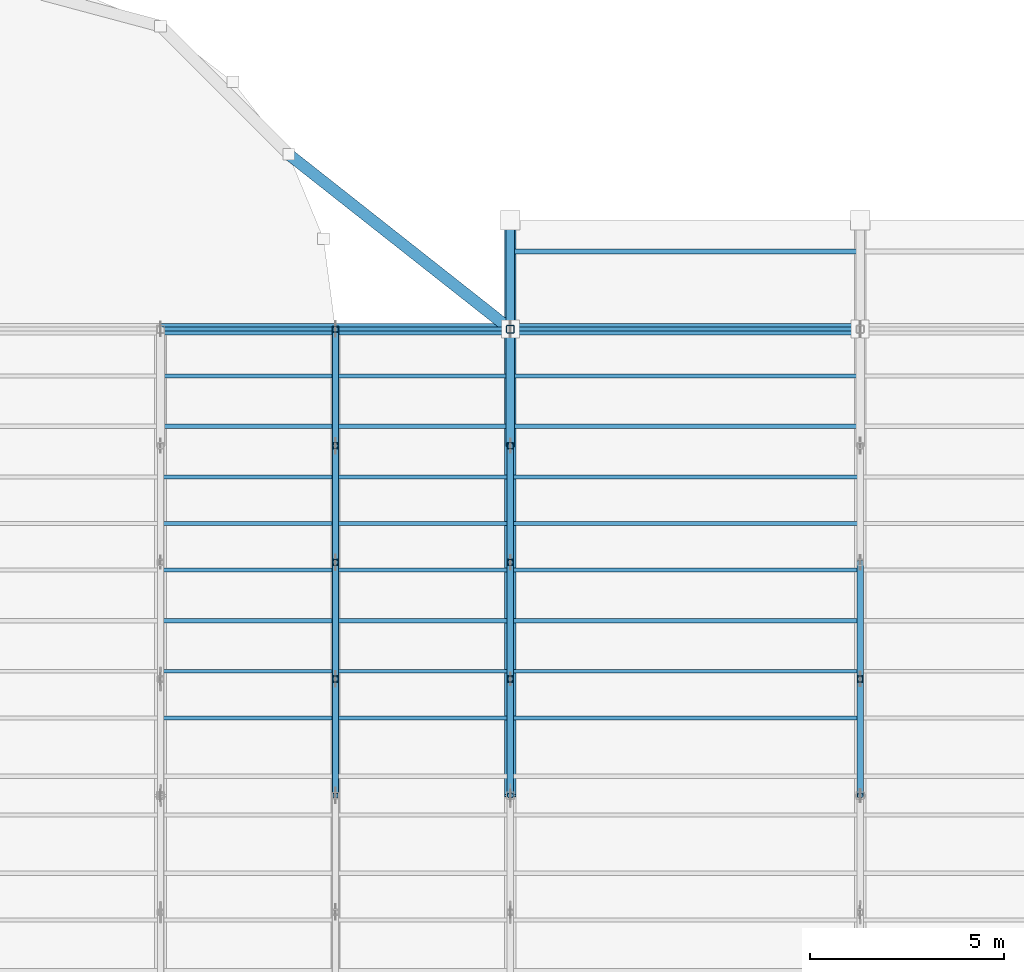
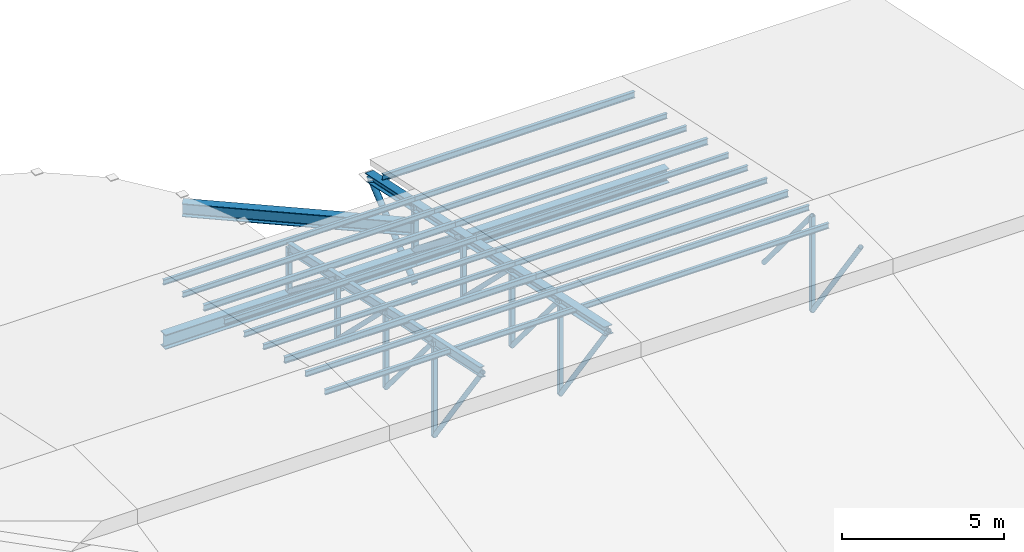
# One storey, part 29 of 43: 41 members, 3 beams.
"""IFC4 building model written with IfcOpenShell, lengths in metres."""

from ifc_helpers import new_model, si_unit, direction, frame, origin, origin_2d, place, context, subcontext, project, spatial, hollow_rectangle, hollow_circle, i_section, extrude, material, material_profile, profile_set, type_object, element, save


model = new_model("IFC4")

# Units and contexts
model_context = context("Model", 3, precision=1e-05, world=origin(), true_north=direction((0.0, 1.0)))
body_context = subcontext(model_context, "Body", "Model", "MODEL_VIEW")
ifc_project = project(units=[si_unit("LENGTHUNIT", "METRE"), si_unit("AREAUNIT", "SQUARE_METRE"), si_unit("VOLUMEUNIT", "CUBIC_METRE"), si_unit("PLANEANGLEUNIT", "RADIAN"), si_unit("MASSUNIT", "GRAM", prefix="KILO")], contexts=[model_context])

# Site, building, storey
site_placement = place(None, origin())
site = spatial("IfcSite", under=ifc_project, at=site_placement, CompositionType="ELEMENT")
building_placement = place(site_placement, origin())
building = spatial("IfcBuilding", under=site, at=building_placement, Name="Serraforn Aerial Cableway Station", CompositionType="ELEMENT")
storey_placement = place(building_placement, frame((0.0, 0.0, 18.300048828125)))
storey = spatial("IfcBuildingStorey", under=building, at=storey_placement, Name="RF", CompositionType="ELEMENT", Elevation=18.300048828125)

# Beams
ifc_material_1 = material(Name="Steel S355J2", Category="steel")
ifc_material_profile_1 = material_profile(ifc_material_1, i_section(OverallWidth=0.300048828125, OverallDepth=0.5, WebThickness=0.011962890625, FlangeThickness=0.02294921875, FilletRadius=0.027099609375, at=origin_2d()), Name="HEA 500")
ifc_profile_set_1 = profile_set([ifc_material_profile_1], Name="Steel S355J2")
beam_type_1 = type_object("IfcBeamType", Name="BM-ST-HEA500", PredefinedType="USERDEFINED", material=ifc_profile_set_1)
beam_placement = place(storey_placement, frame((66.894287109375, 46.5, -0.5), z_axis=(0.785189683878, -0.619255327253, 0.0), x_axis=(0.619255327253, 0.785189683878, 0.0)))
element("IfcBeam", 1, at=beam_placement, inside=storey, type_object=beam_type_1, Name="Apse Roof Ring Girder 6", ObjectType="GIRDER", PredefinedType="USERDEFINED", context=body_context, shape_type="SweptSolid", body=[
    extrude(i_section(OverallWidth=0.300048828125, OverallDepth=0.5, WebThickness=0.011962890625, FlangeThickness=0.02294921875, FilletRadius=0.027099609375, at=origin_2d()), origin(), (0.0, 0.0, 1.0), 7.266845703125),
])
ifc_material_profile_2 = material_profile(ifc_material_1, i_section(OverallWidth=0.300048828125, OverallDepth=0.550048828125, WebThickness=0.014892578125, FlangeThickness=0.029052734375, FilletRadius=0.027099609375, at=origin_2d()), Name="HEB 550")
ifc_profile_set_2 = profile_set([ifc_material_profile_2], Name="Steel S355J2")
beam_type_2 = type_object("IfcBeamType", Name="BM-ST-HEB550", PredefinedType="USERDEFINED", material=ifc_profile_set_2)
for number, where, z_axis, x_axis, name in (
    (2, (63.60009765625, 42.0, -1.625), (1.0, 0.0, 0.0), (0.0, 1.0, 0.0), "Boarding Hall Eave Girder N-5"),
    (3, (72.60009765625, 42.0, -1.625), (1.0, 0.0, 0.0), (0.0, 1.0, 0.0), "Boarding Hall Eave Girder N-6"),
):
    element("IfcBeam", number, at=place(storey_placement, frame(where, z_axis=z_axis, x_axis=x_axis)), inside=storey, type_object=beam_type_2, Name=name, ObjectType="GIRDER", PredefinedType="USERDEFINED", context=body_context, shape_type="SweptSolid", body=[
        extrude(i_section(OverallWidth=0.300048828125, OverallDepth=0.550048828125, WebThickness=0.014892578125, FlangeThickness=0.029052734375, FilletRadius=0.027099609375, at=origin_2d()), origin(), (0.0, 0.0, 1.0), 9.0),
    ])

# Members
ifc_material_profile_3 = material_profile(ifc_material_1, hollow_circle(Radius=0.084228515625, WallThickness=0.008056640625, at=origin_2d()), Name="CHS 168.3x8.0")
ifc_profile_set_3 = profile_set([ifc_material_profile_3], Name="Steel S355J2")
member_type_1 = type_object("IfcMemberType", Name="MEM-DG-CHS168", PredefinedType="BRACE", material=ifc_profile_set_3)
member_1_placement = place(storey_placement, frame((72.60009765625, 30.0, 2.8759765625), z_axis=(0.0, 0.578856146563, -0.815429679118), x_axis=(-1.0, 0.0, 0.0)))
element("IfcMember", 4, at=member_1_placement, inside=storey, type_object=member_type_1, Name="Roof Truss TR-06 Diagonal 5", PredefinedType="BRACE", context=body_context, shape_type="SweptSolid", body=[
    extrude(hollow_circle(Radius=0.084228515625, WallThickness=0.008056640625, at=origin_2d()), origin(), (0.0, 0.0, 1.0), 5.1826171875),
])
member_2_placement = place(storey_placement, frame((72.60009765625, 33.0, 2.23828125), z_axis=(0.0, 0.641405529785, -0.767202024477), x_axis=(-1.0, 0.0, 0.0)))
element("IfcMember", 5, at=member_2_placement, inside=storey, type_object=member_type_1, Name="Roof Truss TR-06 Diagonal 6", PredefinedType="BRACE", context=body_context, shape_type="SweptSolid", body=[
    extrude(hollow_circle(Radius=0.084228515625, WallThickness=0.008056640625, at=origin_2d()), origin(), (0.0, 0.0, 1.0), 4.67724609375),
])
member_3_placement = place(storey_placement, frame((72.60009765625, 36.0, 1.6005859375), z_axis=(0.0, 0.71294245933, -0.701222539344), x_axis=(-1.0, 0.0, 0.0)))
element("IfcMember", 6, at=member_3_placement, inside=storey, type_object=member_type_1, Name="Roof Truss TR-06 Diagonal 7", PredefinedType="BRACE", context=body_context, shape_type="SweptSolid", body=[
    extrude(hollow_circle(Radius=0.084228515625, WallThickness=0.008056640625, at=origin_2d()), origin(), (0.0, 0.0, 1.0), 4.2080078125),
])
member_4_placement = place(storey_placement, frame((81.60009765625, 30.0, 2.8759765625), z_axis=(0.0, 0.578856146563, -0.815429679118), x_axis=(-1.0, 0.0, 0.0)))
element("IfcMember", 7, at=member_4_placement, inside=storey, type_object=member_type_1, Name="Roof Truss TR-07 Diagonal 5", PredefinedType="BRACE", context=body_context, shape_type="SweptSolid", body=[
    extrude(hollow_circle(Radius=0.084228515625, WallThickness=0.008056640625, at=origin_2d()), origin(), (0.0, 0.0, 1.0), 5.1826171875),
])
member_5_placement = place(storey_placement, frame((81.60009765625, 33.0, 2.23828125), z_axis=(0.0, 0.641405529785, -0.767202024477), x_axis=(-1.0, 0.0, 0.0)))
element("IfcMember", 8, at=member_5_placement, inside=storey, type_object=member_type_1, Name="Roof Truss TR-07 Diagonal 6", PredefinedType="BRACE", context=body_context, shape_type="SweptSolid", body=[
    extrude(hollow_circle(Radius=0.084228515625, WallThickness=0.008056640625, at=origin_2d()), origin(), (0.0, 0.0, 1.0), 4.67724609375),
])
member_6_placement = place(storey_placement, frame((68.10009765625, 30.0, 2.8759765625), z_axis=(0.0, 0.578856146563, -0.815429679118), x_axis=(-1.0, 0.0, 0.0)))
element("IfcMember", 9, at=member_6_placement, inside=storey, type_object=member_type_1, Name="Intermediate Truss TRM-05 Diagonal 5", PredefinedType="BRACE", context=body_context, shape_type="SweptSolid", body=[
    extrude(hollow_circle(Radius=0.084228515625, WallThickness=0.008056640625, at=origin_2d()), origin(), (0.0, 0.0, 1.0), 5.1826171875),
])
member_7_placement = place(storey_placement, frame((68.10009765625, 33.0, 2.23828125), z_axis=(0.0, 0.641405529785, -0.767202024477), x_axis=(-1.0, 0.0, 0.0)))
element("IfcMember", 10, at=member_7_placement, inside=storey, type_object=member_type_1, Name="Intermediate Truss TRM-05 Diagonal 6", PredefinedType="BRACE", context=body_context, shape_type="SweptSolid", body=[
    extrude(hollow_circle(Radius=0.084228515625, WallThickness=0.008056640625, at=origin_2d()), origin(), (0.0, 0.0, 1.0), 4.67724609375),
])
member_8_placement = place(storey_placement, frame((68.10009765625, 36.0, 1.6005859375), z_axis=(0.0, 0.71294245933, -0.701222539344), x_axis=(-1.0, 0.0, 0.0)))
element("IfcMember", 11, at=member_8_placement, inside=storey, type_object=member_type_1, Name="Intermediate Truss TRM-05 Diagonal 7", PredefinedType="BRACE", context=body_context, shape_type="SweptSolid", body=[
    extrude(hollow_circle(Radius=0.084228515625, WallThickness=0.008056640625, at=origin_2d()), origin(), (0.0, 0.0, 1.0), 4.2080078125),
])
member_9_placement = place(storey_placement, frame((68.10009765625, 39.0, 0.962890625), z_axis=(0.0, 0.791947867333, -0.610588712168), x_axis=(-1.0, 0.0, 0.0)))
element("IfcMember", 12, at=member_9_placement, inside=storey, type_object=member_type_1, Name="Intermediate Truss TRM-05 Diagonal 8", PredefinedType="BRACE", context=body_context, shape_type="SweptSolid", body=[
    extrude(hollow_circle(Radius=0.084228515625, WallThickness=0.008056640625, at=origin_2d()), origin(), (0.0, 0.0, 1.0), 3.7880859375),
])
ifc_material_profile_4 = material_profile(ifc_material_1, hollow_circle(Radius=0.109619140625, WallThickness=0.010009765625, at=origin_2d()), Name="CHS 219.1x10.0")
ifc_profile_set_4 = profile_set([ifc_material_profile_4], Name="Steel S355J2")
member_type_2 = type_object("IfcMemberType", Name="MEM-DG-CHS219", PredefinedType="BRACE", material=ifc_profile_set_4)
member_10_placement = place(storey_placement, frame((72.60009765625, 42.0, -2.650146484375), z_axis=(0.0, 0.760584469832, 0.649238988548), x_axis=(-1.0, 0.0, 0.0)))
element("IfcMember", 13, at=member_10_placement, inside=storey, type_object=member_type_2, Name="Roof Truss TR-06 Eave Knee Strut EN", PredefinedType="BRACE", context=body_context, shape_type="SweptSolid", body=[
    extrude(hollow_circle(Radius=0.109619140625, WallThickness=0.010009765625, at=origin_2d()), origin(), (0.0, 0.0, 1.0), 3.681396484375),
])
member_11_placement = place(storey_placement, frame((72.60009765625, 39.0, 0.962890625), z_axis=(0.0, 0.791947867333, -0.610588712168), x_axis=(-1.0, 0.0, 0.0)))
element("IfcMember", 14, at=member_11_placement, inside=storey, type_object=member_type_2, Name="Roof Truss TR-06 Diagonal 8", PredefinedType="BRACE", context=body_context, shape_type="SweptSolid", body=[
    extrude(hollow_circle(Radius=0.109619140625, WallThickness=0.010009765625, at=origin_2d()), origin(), (0.0, 0.0, 1.0), 3.7880859375),
])
ifc_material_2 = material(Name="Steel S355JR", Category="steel")
ifc_material_profile_5 = material_profile(ifc_material_2, i_section(OverallWidth=0.10009765625, OverallDepth=0.199951171875, WebThickness=0.005615234375, FlangeThickness=0.008544921875, FilletRadius=0.011962890625, at=origin_2d()), Name="IPE 200")
ifc_profile_set_5 = profile_set([ifc_material_profile_5], Name="Steel S355JR")
member_type_3 = type_object("IfcMemberType", Name="MEM-PR-IPE200", PredefinedType="PURLIN", material=ifc_profile_set_5)
for number, where, z_axis, x_axis, name in (
    (15, (63.60009765625, 32.0, 2.48583984375), (1.0, 0.0, 0.0), (0.0, 1.0, 0.0), "Boarding Hall Purlin 5-9"),
    (16, (63.60009765625, 37.0, 1.632080078125), (1.0, 0.0, 0.0), (0.0, 1.0, 0.0), "Boarding Hall Purlin 5-11"),
    (17, (63.60009765625, 42.0, 0.5693359375), (1.0, 0.0, 0.0), (0.0, 1.0, 0.0), "Boarding Hall Purlin 5-13"),
    (18, (72.60009765625, 32.0, 2.48583984375), (1.0, 0.0, 0.0), (0.0, 1.0, 0.0), "Boarding Hall Purlin 6-9"),
    (19, (72.60009765625, 37.0, 1.632080078125), (1.0, 0.0, 0.0), (0.0, 1.0, 0.0), "Boarding Hall Purlin 6-11"),
    (20, (72.60009765625, 42.0, 0.5693359375), (1.0, 0.0, 0.0), (0.0, 1.0, 0.0), "Boarding Hall Purlin 6-13"),
    (21, (63.60009765625, 33.199951171875, 2.439697265625), (1.0, 0.0, 0.0), (0.0, 1.0, 0.0), "Boarding Hall Secondary Purlin 5-5"),
    (22, (63.60009765625, 35.800048828125, 1.88720703125), (1.0, 0.0, 0.0), (0.0, 1.0, 0.0), "Boarding Hall Secondary Purlin 5-6"),
    (23, (63.60009765625, 38.199951171875, 1.376953125), (1.0, 0.0, 0.0), (0.0, 1.0, 0.0), "Boarding Hall Secondary Purlin 5-7"),
    (24, (63.60009765625, 40.800048828125, 0.824462890625), (1.0, 0.0, 0.0), (0.0, 1.0, 0.0), "Boarding Hall Secondary Purlin 5-8"),
    (25, (72.60009765625, 33.199951171875, 2.439697265625), (1.0, 0.0, 0.0), (0.0, 1.0, 0.0), "Boarding Hall Secondary Purlin 6-5"),
    (26, (72.60009765625, 35.800048828125, 1.88720703125), (1.0, 0.0, 0.0), (0.0, 1.0, 0.0), "Boarding Hall Secondary Purlin 6-6"),
    (27, (72.60009765625, 38.199951171875, 1.376953125), (1.0, 0.0, 0.0), (0.0, 1.0, 0.0), "Boarding Hall Secondary Purlin 6-7"),
    (28, (72.60009765625, 40.800048828125, 0.824462890625), (1.0, 0.0, 0.0), (0.0, 1.0, 0.0), "Boarding Hall Secondary Purlin 6-8"),
):
    element("IfcMember", number, at=place(storey_placement, frame(where, z_axis=z_axis, x_axis=x_axis)), inside=storey, type_object=member_type_3, Name=name, PredefinedType="PURLIN", context=body_context, shape_type="SweptSolid", body=[
        extrude(i_section(OverallWidth=0.10009765625, OverallDepth=0.199951171875, WebThickness=0.005615234375, FlangeThickness=0.008544921875, FilletRadius=0.011962890625, at=origin_2d()), origin(), (0.0, 0.0, 1.0), 9.0),
    ])
ifc_material_profile_6 = material_profile(ifc_material_2, i_section(OverallWidth=0.1201171875, OverallDepth=0.239990234375, WebThickness=0.006103515625, FlangeThickness=0.009765625, FilletRadius=0.014892578125, at=origin_2d()), Name="IPE 240")
ifc_profile_set_6 = profile_set([ifc_material_profile_6], Name="Steel S355JR")
member_type_4 = type_object("IfcMemberType", Name="MEM-PR-IPE240", PredefinedType="PURLIN", material=ifc_profile_set_6)
for number, where, z_axis, x_axis, name in (
    (29, (63.60009765625, 34.5, 2.183349609375), (1.0, 0.0, 0.0), (0.0, 1.0, 0.0), "Boarding Hall Purlin 5-10"),
    (30, (63.60009765625, 39.5, 1.12060546875), (1.0, 0.0, 0.0), (0.0, 1.0, 0.0), "Boarding Hall Purlin 5-12"),
    (31, (72.60009765625, 34.5, 2.183349609375), (1.0, 0.0, 0.0), (0.0, 1.0, 0.0), "Boarding Hall Purlin 6-10"),
    (32, (72.60009765625, 39.5, 1.12060546875), (1.0, 0.0, 0.0), (0.0, 1.0, 0.0), "Boarding Hall Purlin 6-12"),
    (33, (72.60009765625, 44.0, 0.1640625), (1.0, 0.0, 0.0), (0.0, 1.0, 0.0), "Boarding Hall Purlin 6-14"),
):
    element("IfcMember", number, at=place(storey_placement, frame(where, z_axis=z_axis, x_axis=x_axis)), inside=storey, type_object=member_type_4, Name=name, PredefinedType="PURLIN", context=body_context, shape_type="SweptSolid", body=[
        extrude(i_section(OverallWidth=0.1201171875, OverallDepth=0.239990234375, WebThickness=0.006103515625, FlangeThickness=0.009765625, FilletRadius=0.014892578125, at=origin_2d()), origin(), (0.0, 0.0, 1.0), 9.0),
    ])
ifc_material_profile_7 = material_profile(ifc_material_1, i_section(OverallWidth=0.300048828125, OverallDepth=0.300048828125, WebThickness=0.010986328125, FlangeThickness=0.01904296875, FilletRadius=0.027099609375, at=origin_2d()), Name="HEB 300")
ifc_profile_set_7 = profile_set([ifc_material_profile_7], Name="Steel S355J2")
member_type_5 = type_object("IfcMemberType", Name="MEM-TC-HEB300", PredefinedType="CHORD", material=ifc_profile_set_7)
member_12_placement = place(storey_placement, frame((72.60009765625, 30.0, 2.8759765625), z_axis=(0.0, 0.978145603362, -0.207921087493), x_axis=(-1.0, 0.0, 0.0)))
element("IfcMember", 34, at=member_12_placement, inside=storey, type_object=member_type_5, Name="Roof Truss TR-06 Top Chord 2", PredefinedType="CHORD", context=body_context, shape_type="SweptSolid", body=[
    extrude(i_section(OverallWidth=0.300048828125, OverallDepth=0.300048828125, WebThickness=0.010986328125, FlangeThickness=0.01904296875, FilletRadius=0.027099609375, at=origin_2d()), origin(), (0.0, 0.0, 1.0), 15.130615234375),
])
ifc_material_profile_8 = material_profile(ifc_material_1, i_section(OverallWidth=0.169921875, OverallDepth=0.360107421875, WebThickness=0.008056640625, FlangeThickness=0.0126953125, FilletRadius=0.01806640625, at=origin_2d()), Name="IPE 360")
ifc_profile_set_8 = profile_set([ifc_material_profile_8], Name="Steel S355J2")
member_type_6 = type_object("IfcMemberType", Name="MEM-TC-IPE360", PredefinedType="CHORD", material=ifc_profile_set_8)
member_13_placement = place(storey_placement, frame((68.10009765625, 30.0, 2.8759765625), z_axis=(0.0, 0.978145901394, -0.20791968542), x_axis=(-1.0, 0.0, 0.0)))
element("IfcMember", 35, at=member_13_placement, inside=storey, type_object=member_type_6, Name="Intermediate Truss TRM-05 Top Chord 2", PredefinedType="CHORD", context=body_context, shape_type="SweptSolid", body=[
    extrude(i_section(OverallWidth=0.169921875, OverallDepth=0.360107421875, WebThickness=0.008056640625, FlangeThickness=0.0126953125, FilletRadius=0.01806640625, at=origin_2d()), origin(), (0.0, 0.0, 1.0), 12.26806640625),
])
ifc_material_profile_9 = material_profile(ifc_material_1, hollow_rectangle(XDim=0.159912109375, YDim=0.159912109375, WallThickness=0.008056640625, InnerFilletRadius=0.008056640625, OuterFilletRadius=0.01611328125, at=origin_2d()), Name="SHS 160x160x8.0")
ifc_profile_set_9 = profile_set([ifc_material_profile_9], Name="Steel S355J2")
member_type_7 = type_object("IfcMemberType", Name="MEM-VP-SHS160", PredefinedType="STRUT", material=ifc_profile_set_9)
member_14_placement = place(storey_placement, frame((72.60009765625, 33.0, -1.360107421875), z_axis=(0.0, 0.0, 1.0), x_axis=(1.0, 0.0, 0.0)))
element("IfcMember", 36, at=member_14_placement, inside=storey, type_object=member_type_7, Name="Roof Truss TR-06 Vertical Post 6", PredefinedType="STRUT", context=body_context, shape_type="SweptSolid", body=[
    extrude(hollow_rectangle(XDim=0.159912109375, YDim=0.159912109375, WallThickness=0.008056640625, InnerFilletRadius=0.008056640625, OuterFilletRadius=0.01611328125, at=origin_2d()), origin(), (0.0, 0.0, 1.0), 3.6083984375),
])
member_15_placement = place(storey_placement, frame((72.60009765625, 36.0, -1.360107421875), z_axis=(0.0, 0.0, 1.0), x_axis=(1.0, 0.0, 0.0)))
element("IfcMember", 37, at=member_15_placement, inside=storey, type_object=member_type_7, Name="Roof Truss TR-06 Vertical Post 7", PredefinedType="STRUT", context=body_context, shape_type="SweptSolid", body=[
    extrude(hollow_rectangle(XDim=0.159912109375, YDim=0.159912109375, WallThickness=0.008056640625, InnerFilletRadius=0.008056640625, OuterFilletRadius=0.01611328125, at=origin_2d()), origin(), (0.0, 0.0, 1.0), 2.970703125),
])
member_16_placement = place(storey_placement, frame((72.60009765625, 39.0, -1.360107421875), z_axis=(0.0, 0.0, 1.0), x_axis=(1.0, 0.0, 0.0)))
element("IfcMember", 38, at=member_16_placement, inside=storey, type_object=member_type_7, Name="Roof Truss TR-06 Vertical Post 8", PredefinedType="STRUT", context=body_context, shape_type="SweptSolid", body=[
    extrude(hollow_rectangle(XDim=0.159912109375, YDim=0.159912109375, WallThickness=0.008056640625, InnerFilletRadius=0.008056640625, OuterFilletRadius=0.01611328125, at=origin_2d()), origin(), (0.0, 0.0, 1.0), 2.3330078125),
])
for number, where, z_axis, x_axis, name in (
    (39, (81.60009765625, 33.0, -1.360107421875), (0.0, 0.0, 1.0), (1.0, 0.0, 0.0), "Roof Truss TR-07 Vertical Post 6"),
    (40, (68.10009765625, 33.0, -1.360107421875), (0.0, 0.0, 1.0), (1.0, 0.0, 0.0), "Intermediate Truss TRM-05 Post 6"),
):
    element("IfcMember", number, at=place(storey_placement, frame(where, z_axis=z_axis, x_axis=x_axis)), inside=storey, type_object=member_type_7, Name=name, PredefinedType="STRUT", context=body_context, shape_type="SweptSolid", body=[
        extrude(hollow_rectangle(XDim=0.159912109375, YDim=0.159912109375, WallThickness=0.008056640625, InnerFilletRadius=0.008056640625, OuterFilletRadius=0.01611328125, at=origin_2d()), origin(), (0.0, 0.0, 1.0), 3.6083984375),
    ])
member_17_placement = place(storey_placement, frame((68.10009765625, 36.0, -1.360107421875), z_axis=(0.0, 0.0, 1.0), x_axis=(1.0, 0.0, 0.0)))
element("IfcMember", 41, at=member_17_placement, inside=storey, type_object=member_type_7, Name="Intermediate Truss TRM-05 Post 7", PredefinedType="STRUT", context=body_context, shape_type="SweptSolid", body=[
    extrude(hollow_rectangle(XDim=0.159912109375, YDim=0.159912109375, WallThickness=0.008056640625, InnerFilletRadius=0.008056640625, OuterFilletRadius=0.01611328125, at=origin_2d()), origin(), (0.0, 0.0, 1.0), 2.970703125),
])
member_18_placement = place(storey_placement, frame((68.10009765625, 39.0, -1.360107421875), z_axis=(0.0, 0.0, 1.0), x_axis=(1.0, 0.0, 0.0)))
element("IfcMember", 42, at=member_18_placement, inside=storey, type_object=member_type_7, Name="Intermediate Truss TRM-05 Post 8", PredefinedType="STRUT", context=body_context, shape_type="SweptSolid", body=[
    extrude(hollow_rectangle(XDim=0.159912109375, YDim=0.159912109375, WallThickness=0.008056640625, InnerFilletRadius=0.008056640625, OuterFilletRadius=0.01611328125, at=origin_2d()), origin(), (0.0, 0.0, 1.0), 2.3330078125),
])
member_19_placement = place(storey_placement, frame((68.10009765625, 42.0, -1.360107421875), z_axis=(0.0, 0.0, 1.0), x_axis=(1.0, 0.0, 0.0)))
element("IfcMember", 43, at=member_19_placement, inside=storey, type_object=member_type_7, Name="Intermediate Truss TRM-05 Post 9", PredefinedType="STRUT", context=body_context, shape_type="SweptSolid", body=[
    extrude(hollow_rectangle(XDim=0.159912109375, YDim=0.159912109375, WallThickness=0.008056640625, InnerFilletRadius=0.008056640625, OuterFilletRadius=0.01611328125, at=origin_2d()), origin(), (0.0, 0.0, 1.0), 1.6953125),
])
ifc_material_profile_10 = material_profile(ifc_material_1, hollow_rectangle(XDim=0.199951171875, YDim=0.199951171875, WallThickness=0.010009765625, InnerFilletRadius=0.010009765625, OuterFilletRadius=0.02001953125, at=origin_2d()), Name="SHS 200x200x10.0")
ifc_profile_set_10 = profile_set([ifc_material_profile_10], Name="Steel S355J2")
member_type_8 = type_object("IfcMemberType", Name="MEM-VP-SHS200", PredefinedType="STRUT", material=ifc_profile_set_10)
member_20_placement = place(storey_placement, frame((72.60009765625, 42.0, -1.360107421875), z_axis=(0.0, 0.0, 1.0), x_axis=(1.0, 0.0, 0.0)))
element("IfcMember", 44, at=member_20_placement, inside=storey, type_object=member_type_8, Name="Roof Truss TR-06 Vertical Post 9", PredefinedType="STRUT", context=body_context, shape_type="SweptSolid", body=[
    extrude(hollow_rectangle(XDim=0.199951171875, YDim=0.199951171875, WallThickness=0.010009765625, InnerFilletRadius=0.010009765625, OuterFilletRadius=0.02001953125, at=origin_2d()), origin(), (0.0, 0.0, 1.0), 1.6953125),
])

save(model, "model.ifc")
